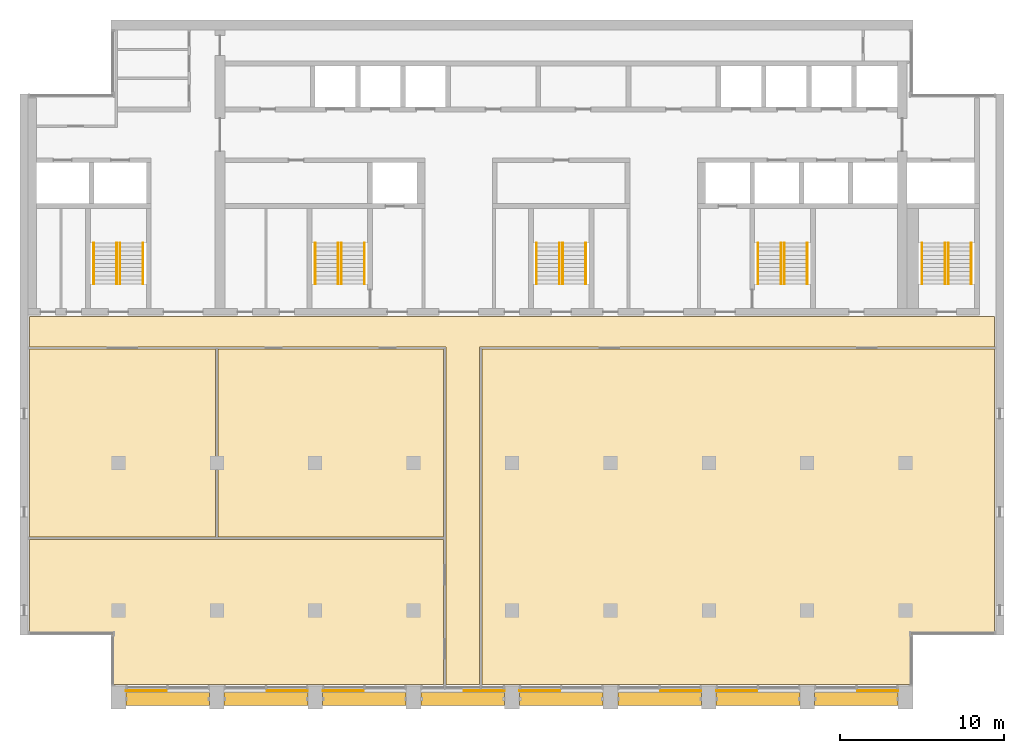
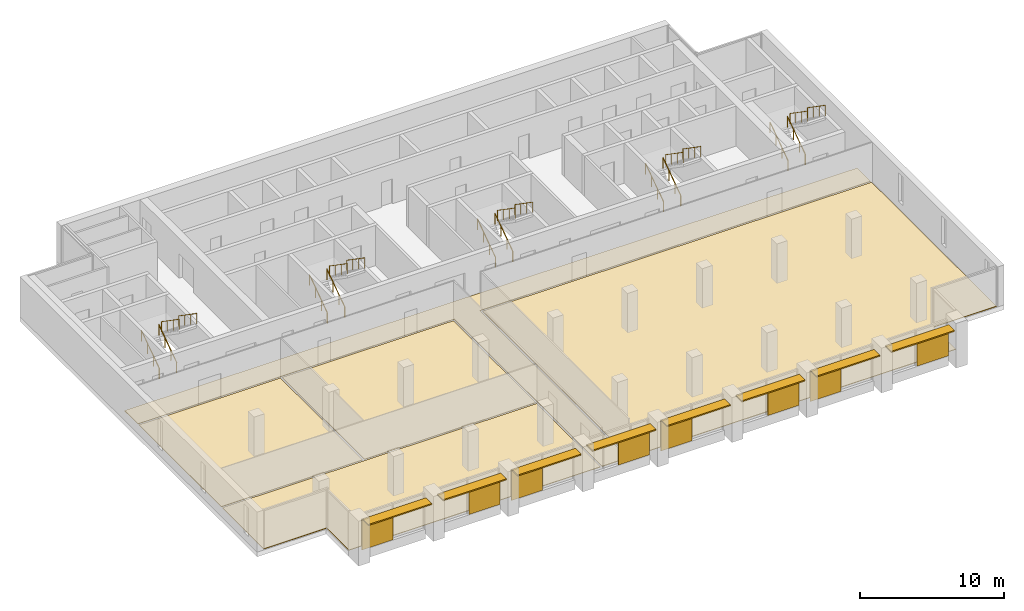
# One storey, part 14 of 14: 20 railings, 16 shading devices, 5 coverings, 5 elements without a shape of their own.
"""IFC4 building model written with IfcOpenShell, lengths in metres."""

import ifcopenshell
import ifcopenshell.guid

model = None  # the IFC model being written
_history = None  # IfcOwnerHistory: only IFC2X3 demands one
_inside = {}  # id of a spatial element -> (the spatial element, [elements in it])
_under = {}  # id of a project, library or spatial element -> (it, [spatial elements below it])
_declared = {}  # id of a project -> (the project, [libraries it declares])
_typed = {}  # id of a type object -> (the type object, [elements of that type])
_made_of = {}  # id of a material, layer set ... -> (it, [elements and type objects made of it])


def new_model(schema):
    """Start an empty IFC model of exactly this schema.

    Asked for "IFC4X3", IfcOpenShell would pick the latest addendum, in which some entities
    have other attributes; the version numbers below select the first issue.
    IFC2X3 requires an IfcOwnerHistory on every rooted entity: one is made here for all.
    """
    global model, _history
    if schema == "IFC4X3":
        model = ifcopenshell.file(schema_version=(4, 3, 0, 0))
    else:
        model = ifcopenshell.file(schema=schema)
    _inside.clear()
    _under.clear()
    _declared.clear()
    _typed.clear()
    _made_of.clear()
    _history = None
    if model.schema == "IFC2X3":
        org = make("IfcOrganization", Name="unknown")
        user = make(
            "IfcPersonAndOrganization",
            ThePerson=make("IfcPerson", FamilyName="unknown"),
            TheOrganization=org,
        )
        app = make(
            "IfcApplication",
            ApplicationDeveloper=org,
            Version="unknown",
            ApplicationFullName="unknown",
            ApplicationIdentifier="unknown",
        )
        _history = make(
            "IfcOwnerHistory",
            OwningUser=user,
            OwningApplication=app,
            ChangeAction="ADDED",
            CreationDate=0,
        )
    return model


def make(cls, **values):
    """One entity of the class cls with the attributes given. An attribute that is None is left unset."""
    return model.create_entity(
        cls, **{name: value for name, value in values.items() if value is not None}
    )


def rooted(cls, **values):
    """An entity with a GlobalId (a new one), such as an element, a storey or a relation."""
    return make(cls, GlobalId=ifcopenshell.guid.new(), OwnerHistory=_history, **values)


def si_unit(unit_type, name, prefix=None):
    """IfcSIUnit, for example si_unit("LENGTHUNIT", "METRE", prefix="MILLI")."""
    return make("IfcSIUnit", UnitType=unit_type, Prefix=prefix, Name=name)


def assignment(units):
    """IfcUnitAssignment: the units of a project."""
    return None if units is None else make("IfcUnitAssignment", Units=units)


def point(xyz):
    """IfcCartesianPoint."""
    return None if xyz is None else make("IfcCartesianPoint", Coordinates=xyz)


def direction(xyz):
    """IfcDirection."""
    return None if xyz is None else make("IfcDirection", DirectionRatios=xyz)


def frame(location, z_axis=None, x_axis=None):
    """IfcAxis2Placement3D, a coordinate frame: its origin and axes. An axis left out is left unset."""
    return make(
        "IfcAxis2Placement3D",
        Location=point(location),
        Axis=direction(z_axis),
        RefDirection=direction(x_axis),
    )


def frame_2d(location, x_axis=None):
    """IfcAxis2Placement2D, a coordinate frame in the plane: its origin and x axis."""
    return make(
        "IfcAxis2Placement2D", Location=point(location), RefDirection=direction(x_axis)
    )


def origin():
    """The frame at (0, 0, 0) with its axes left unset."""
    return frame((0.0, 0.0, 0.0))


def origin_2d():
    """The frame at (0, 0) in the plane with its x axis left unset."""
    return frame_2d((0.0, 0.0))


def place(relative_to, where):
    """IfcLocalPlacement: puts the frame where relative to a parent placement (None: the world)."""
    return make(
        "IfcLocalPlacement", PlacementRelTo=relative_to, RelativePlacement=where
    )


def context(
    kind, dimensions, precision=None, world=None, true_north=None, identifier=None
):
    """IfcGeometricRepresentationContext, for example the 3D "Model" context."""
    return make(
        "IfcGeometricRepresentationContext",
        ContextIdentifier=identifier,
        ContextType=kind,
        CoordinateSpaceDimension=dimensions,
        Precision=precision,
        WorldCoordinateSystem=world,
        TrueNorth=true_north,
    )


def subcontext(parent, identifier, kind, view, scale=None):
    """IfcGeometricRepresentationSubContext, for example "Body" below "Model"."""
    return make(
        "IfcGeometricRepresentationSubContext",
        ContextIdentifier=identifier,
        ContextType=kind,
        ParentContext=parent,
        TargetScale=scale,
        TargetView=view,
    )


def project(units=None, contexts=None):
    """IfcProject with its units and contexts."""
    return rooted(
        "IfcProject",
        Name="project",
        RepresentationContexts=contexts,
        UnitsInContext=assignment(units),
    )


def spatial(cls, under=None, at=None, **own):
    """A site, building, storey or space (cls), placed at a placement, below another one or the project."""
    s = rooted(cls, ObjectPlacement=at, **own)
    if under is not None:
        _under.setdefault(under.id(), (under, []))[1].append(s)
    return s


def polyline(points):
    """IfcPolyline through the points."""
    return make("IfcPolyline", Points=[point(p) for p in points])


def profile(cls, at=None, kind="AREA", **sizes):
    """A parametric profile (cls). Its sizes go by their IFC names, for example OverallWidth=200.0."""
    return make(cls, ProfileType=kind, Position=at, **sizes)


def rectangle(**sizes):
    """IfcRectangleProfileDef."""
    return profile("IfcRectangleProfileDef", **sizes)


def circle(**sizes):
    """IfcCircleProfileDef."""
    return profile("IfcCircleProfileDef", **sizes)


def outline(outer, holes=None, kind="AREA"):
    """IfcArbitraryClosedProfileDef: a profile drawn as a closed curve; with holes, ...WithVoids."""
    if holes is None:
        return make("IfcArbitraryClosedProfileDef", ProfileType=kind, OuterCurve=outer)
    return make(
        "IfcArbitraryProfileDefWithVoids",
        ProfileType=kind,
        OuterCurve=outer,
        InnerCurves=holes,
    )


def extrude(swept, where, along, depth):
    """IfcExtrudedAreaSolid: the profile swept, set in the frame where, extruded along a direction by depth."""
    return make(
        "IfcExtrudedAreaSolid",
        SweptArea=swept,
        Position=where,
        ExtrudedDirection=direction(along),
        Depth=depth,
    )


def shape(context_of_items, identifier, shape_type, items):
    """IfcShapeRepresentation: the items that make up one representation, for example the "Body"."""
    return make(
        "IfcShapeRepresentation",
        ContextOfItems=context_of_items,
        RepresentationIdentifier=identifier,
        RepresentationType=shape_type,
        Items=items,
    )


def material(Name=None, Category=None):
    """IfcMaterial."""
    return make("IfcMaterial", Name=Name, Category=Category)


def layer(
    of_material, thickness, ventilated=None, Name=None, Category=None, Priority=None
):
    """IfcMaterialLayer: one layer of a wall or slab, of a material (None: an air gap)."""
    return make(
        "IfcMaterialLayer",
        Material=of_material,
        LayerThickness=thickness,
        IsVentilated=ventilated,
        Name=Name,
        Category=Category,
        Priority=Priority,
    )


def layer_set(layers, Name=None):
    """IfcMaterialLayerSet."""
    return make("IfcMaterialLayerSet", MaterialLayers=layers, LayerSetName=Name)


def material_profile(
    of_material, cross_section, Name=None, Category=None, Priority=None
):
    """IfcMaterialProfile: a cross section and its material."""
    return make(
        "IfcMaterialProfile",
        Name=Name,
        Material=of_material,
        Profile=cross_section,
        Priority=Priority,
        Category=Category,
    )


def profile_set(profiles, Name=None, composite=None):
    """IfcMaterialProfileSet."""
    return make(
        "IfcMaterialProfileSet",
        Name=Name,
        MaterialProfiles=profiles,
        CompositeProfile=composite,
    )


def made_of(thing, what):
    """Note that an element or type object is made of a material, layer set ...; save() writes the relation."""
    if what is not None:
        _made_of.setdefault(what.id(), (what, []))[1].append(thing)
    return thing


def type_object(cls, material=None, **own):
    """A type object (cls), such as IfcWallType, which elements share."""
    return made_of(rooted(cls, **own), material)


def element(
    cls,
    number,
    at=None,
    inside=None,
    cuts=None,
    type_object=None,
    material=None,
    context=None,
    identifier="Body",
    shape_type=None,
    held_by="IfcProductDefinitionShape",
    body=None,
    shapes=None,
    **own,
):
    """One element of the class cls, such as IfcWall. Its Tag is "e" and its number.

    at: its placement. inside: the storey or other place that contains it. cuts: it is an
    opening in that element (IfcRelVoidsElement). A single representation is given by context,
    identifier, shape_type and body (its items); several are given by shapes. held_by: the class
    of the entity that holds the representations. save() writes the other relations.
    """
    e = rooted(cls, Tag="e%d" % number, ObjectPlacement=at, **own)
    if body is not None:
        shapes = [shape(context, identifier, shape_type, body)]
    if shapes is not None:
        e.Representation = make(held_by, Representations=shapes)
    if inside is not None:
        _inside.setdefault(inside.id(), (inside, []))[1].append(e)
    if cuts is not None:
        rooted(
            "IfcRelVoidsElement", RelatingBuildingElement=cuts, RelatedOpeningElement=e
        )
    if type_object is not None:
        _typed.setdefault(type_object.id(), (type_object, []))[1].append(e)
    return made_of(e, material)


def aggregate(whole, parts):
    """IfcRelAggregates: a whole, such as a stair, and the parts it consists of."""
    return rooted("IfcRelAggregates", RelatingObject=whole, RelatedObjects=parts)


def save(model, path):
    """Write the relations noted so far, then the file.

    IfcRelAggregates (storeys below a building ...), IfcRelContainedInSpatialStructure (elements
    in a storey), IfcRelDefinesByType, IfcRelAssociatesMaterial and IfcRelDeclares: one each for
    every whole, place, type object, material and project.
    """
    for whole, parts in _under.values():
        aggregate(whole, parts)
    for where, things in _inside.values():
        rooted(
            "IfcRelContainedInSpatialStructure",
            RelatedElements=things,
            RelatingStructure=where,
        )
    for kind, things in _typed.values():
        rooted("IfcRelDefinesByType", RelatedObjects=things, RelatingType=kind)
    for what, things in _made_of.values():
        rooted("IfcRelAssociatesMaterial", RelatedObjects=things, RelatingMaterial=what)
    for by, libraries in _declared.values():
        rooted("IfcRelDeclares", RelatingContext=by, RelatedDefinitions=libraries)
    model.write(path)


model = new_model("IFC4")

# Units and contexts
model_context = context("Model", 3, precision=1e-05, world=origin(), true_north=direction((0.0, 1.0)))
body_context = subcontext(model_context, "Body", "Model", "MODEL_VIEW")
ifc_project = project(units=[si_unit("LENGTHUNIT", "METRE"), si_unit("AREAUNIT", "SQUARE_METRE"), si_unit("VOLUMEUNIT", "CUBIC_METRE"), si_unit("PLANEANGLEUNIT", "RADIAN"), si_unit("MASSUNIT", "GRAM", prefix="KILO")], contexts=[model_context])

# Site, building, storey
site_placement = place(None, origin())
site = spatial("IfcSite", under=ifc_project, at=site_placement, CompositionType="ELEMENT")
building_placement = place(site_placement, origin())
building = spatial("IfcBuilding", under=site, at=building_placement, Name="Calvaro Tower", CompositionType="ELEMENT")
storey_placement = place(building_placement, frame((0.0, 0.0, 250.75)))
storey = spatial("IfcBuildingStorey", under=building, at=storey_placement, Name="L63", CompositionType="ELEMENT", Elevation=250.75)

# Shading devices
ifc_material_1 = material(Name="Anodised aluminium", Category="aluminium")
ifc_material_profile = material_profile(ifc_material_1, rectangle(XDim=0.800048828125, YDim=0.10009765625, at=origin_2d()), Name="Brise-soleil blade 800 x 100")
ifc_profile_set = profile_set([ifc_material_profile], Name="Anodised aluminium")
shading_device_type_1 = type_object("IfcShadingDeviceType", Name="Brise-soleil blade 800 x 100", PredefinedType="JALOUSIE", material=ifc_profile_set)
for number, where, z_axis, x_axis, name in (
    (1, (12.449951171875, 4.60009765625, 2.64990234375), (1.0, 0.0, 0.0), (0.0, 1.0, 0.0), "Brise-soleil blade 1"),
    (2, (18.449951171875, 4.60009765625, 2.64990234375), (1.0, 0.0, 0.0), (0.0, 1.0, 0.0), "Brise-soleil blade 2"),
    (3, (24.449951171875, 4.60009765625, 2.64990234375), (1.0, 0.0, 0.0), (0.0, 1.0, 0.0), "Brise-soleil blade 3"),
    (4, (30.449951171875, 4.60009765625, 2.64990234375), (1.0, 0.0, 0.0), (0.0, 1.0, 0.0), "Brise-soleil blade 4"),
    (5, (36.449951171875, 4.60009765625, 2.64990234375), (1.0, 0.0, 0.0), (0.0, 1.0, 0.0), "Brise-soleil blade 5"),
    (6, (42.449951171875, 4.60009765625, 2.64990234375), (1.0, 0.0, 0.0), (0.0, 1.0, 0.0), "Brise-soleil blade 6"),
    (7, (48.449951171875, 4.60009765625, 2.64990234375), (1.0, 0.0, 0.0), (0.0, 1.0, 0.0), "Brise-soleil blade 7"),
    (8, (54.449951171875, 4.60009765625, 2.64990234375), (1.0, 0.0, 0.0), (0.0, 1.0, 0.0), "Brise-soleil blade 8"),
):
    element("IfcShadingDevice", number, at=place(storey_placement, frame(where, z_axis=z_axis, x_axis=x_axis)), inside=storey, type_object=shading_device_type_1, Name=name, PredefinedType="JALOUSIE", context=body_context, shape_type="SweptSolid", body=[
        extrude(rectangle(XDim=0.800048828125, YDim=0.10009765625, at=origin_2d()), origin(), (0.0, 0.0, 1.0), 5.10009765625),
    ])

# Coverings
ifc_material_2 = material(Name="Cement screed with carpet tile finish")
ifc_layer_1 = layer(ifc_material_2, 0.050048828125)
ifc_layer_set_1 = layer_set([ifc_layer_1], Name="Cement screed with carpet tile finish")
covering_type = type_object("IfcCoveringType", Name="Floor finish 50", PredefinedType="FLOORING", material=ifc_layer_set_1)
covering_1_placement = place(storey_placement, origin())
element("IfcCovering", 9, at=covering_1_placement, inside=storey, type_object=covering_type, Name="Floor finish 36.01", PredefinedType="FLOORING", context=body_context, shape_type="SweptSolid", body=[
    extrude(outline(polyline([(31.969970703125, 5.469970703125), (31.969970703125, 26.070068359375), (6.570068359375, 26.070068359375), (6.570068359375, 27.929931640625), (65.429931640625, 27.929931640625), (65.429931640625, 26.070068359375), (34.030029296875, 26.070068359375), (34.030029296875, 5.469970703125), (31.969970703125, 5.469970703125)])), origin(), (0.0, 0.0, 1.0), 0.050048828125),
])
covering_2_placement = place(storey_placement, origin())
element("IfcCovering", 10, at=covering_2_placement, inside=storey, type_object=covering_type, Name="Floor finish 36.02", PredefinedType="FLOORING", context=body_context, shape_type="SweptSolid", body=[
    extrude(outline(polyline([(31.830078125, 14.330078125), (31.830078125, 5.469970703125), (11.6201171875, 5.469970703125), (11.6201171875, 8.570068359375), (6.570068359375, 8.570068359375), (6.570068359375, 14.330078125), (31.830078125, 14.330078125)])), origin(), (0.0, 0.0, 1.0), 0.050048828125),
])
covering_3_placement = place(storey_placement, origin())
element("IfcCovering", 11, at=covering_3_placement, inside=storey, type_object=covering_type, Name="Floor finish 36.04", PredefinedType="FLOORING", context=body_context, shape_type="SweptSolid", body=[
    extrude(outline(polyline([(17.929931640625, 25.929931640625), (17.929931640625, 14.469970703125), (6.570068359375, 14.469970703125), (6.570068359375, 25.929931640625), (17.929931640625, 25.929931640625)])), origin(), (0.0, 0.0, 1.0), 0.050048828125),
])
covering_4_placement = place(storey_placement, origin())
element("IfcCovering", 12, at=covering_4_placement, inside=storey, type_object=covering_type, Name="Floor finish 36.05", PredefinedType="FLOORING", context=body_context, shape_type="SweptSolid", body=[
    extrude(outline(polyline([(18.070068359375, 14.469970703125), (18.070068359375, 25.929931640625), (31.830078125, 25.929931640625), (31.830078125, 14.469970703125), (18.070068359375, 14.469970703125)])), origin(), (0.0, 0.0, 1.0), 0.050048828125),
])
covering_5_placement = place(storey_placement, origin())
element("IfcCovering", 13, at=covering_5_placement, inside=storey, type_object=covering_type, Name="Floor finish 36.03", PredefinedType="FLOORING", context=body_context, shape_type="SweptSolid", body=[
    extrude(outline(polyline([(65.429931640625, 8.570068359375), (60.3798828125, 8.570068359375), (60.3798828125, 5.469970703125), (34.169921875, 5.469970703125), (34.169921875, 25.929931640625), (65.429931640625, 25.929931640625), (65.429931640625, 8.570068359375)])), origin(), (0.0, 0.0, 1.0), 0.050048828125),
])

# Shading devices
ifc_material_3 = material(Name="Ceramic")
ifc_layer_2 = layer(ifc_material_3, 0.0400390625)
ifc_layer_set_2 = layer_set([ifc_layer_2], Name="Ceramic")
shading_device_type_2 = type_object("IfcShadingDeviceType", Name="Sliding ceramic screen 2500", PredefinedType="SHUTTER", material=ifc_layer_set_2)
for number, where, z_axis, x_axis, name in (
    (14, (13.699951171875, 5.10009765625, 0.0), (0.0, 0.0, 1.0), (1.0, 0.0, 0.0), "Sliding screen 1"),
    (15, (22.300048828125, 5.10009765625, 0.0), (0.0, 0.0, 1.0), (1.0, 0.0, 0.0), "Sliding screen 2"),
    (16, (25.699951171875, 5.10009765625, 0.0), (0.0, 0.0, 1.0), (1.0, 0.0, 0.0), "Sliding screen 3"),
    (17, (34.300048828125, 5.10009765625, 0.0), (0.0, 0.0, 1.0), (1.0, 0.0, 0.0), "Sliding screen 4"),
    (18, (37.699951171875, 5.10009765625, 0.0), (0.0, 0.0, 1.0), (1.0, 0.0, 0.0), "Sliding screen 5"),
    (19, (46.300048828125, 5.10009765625, 0.0), (0.0, 0.0, 1.0), (1.0, 0.0, 0.0), "Sliding screen 6"),
    (20, (49.699951171875, 5.10009765625, 0.0), (0.0, 0.0, 1.0), (1.0, 0.0, 0.0), "Sliding screen 7"),
    (21, (58.300048828125, 5.10009765625, 0.0), (0.0, 0.0, 1.0), (1.0, 0.0, 0.0), "Sliding screen 8"),
):
    element("IfcShadingDevice", number, at=place(storey_placement, frame(where, z_axis=z_axis, x_axis=x_axis)), inside=storey, type_object=shading_device_type_2, Name=name, PredefinedType="SHUTTER", context=body_context, shape_type="SweptSolid", body=[
        extrude(rectangle(XDim=2.5, YDim=0.0400390625, at=origin_2d()), origin(), (0.0, 0.0, 1.0), 2.60009765625),
    ])

# Stair, railings
ifc_material_4 = material(Name="Concrete C40/50", Category="concrete")
stair_type = type_object("IfcStairType", Name="Exit stair 1400 2 flights", PredefinedType="HALF_TURN_STAIR", material=ifc_material_4)
stair_1_placement = place(storey_placement, origin())
stair_1 = element("IfcStair", 22, at=stair_1_placement, inside=storey, type_object=stair_type, Name="Exit stair S1", PredefinedType="HALF_TURN_STAIR")
ifc_material_5 = material(Name="Stainless steel", Category="steel")
railing_type = type_object("IfcRailingType", Name="Stair handrail", PredefinedType="HANDRAIL", material=ifc_material_5)
railing_1_placement = place(storey_placement, frame((11.89990234375, 29.89990234375, 0.172607421875)))
railing_1 = element("IfcRailing", 23, at=railing_1_placement, type_object=railing_type, Name="Exit stair 1 handrail", PredefinedType="HANDRAIL", context=body_context, shape_type="SweptSolid", body=[
    extrude(circle(Radius=0.02392578125, at=origin_2d()), frame((0.0, 0.0, 0.8759765625), z_axis=(0.0, 0.822726922227, 0.568436813941), x_axis=(-1.0, 0.0, 0.0)), (0.0, 0.0, 1.0), 3.03857421875),
    extrude(circle(Radius=0.02099609375, at=origin_2d()), frame((0.0, 0.017333984375, 0.011962890625)), (0.0, 0.0, 1.0), 0.851806640625),
    extrude(circle(Radius=0.02099609375, at=origin_2d()), frame((0.0, 0.833251953125, 0.57568359375)), (0.0, 0.0, 1.0), 0.851806640625),
    extrude(circle(Radius=0.02099609375, at=origin_2d()), frame((0.0, 1.666748046875, 1.151611328125)), (0.0, 0.0, 1.0), 0.851806640625),
    extrude(circle(Radius=0.02099609375, at=origin_2d()), frame((0.0, 2.482666015625, 1.71533203125)), (0.0, 0.0, 1.0), 0.851806640625),
])
railing_2_placement = place(storey_placement, frame((10.5, 29.89990234375, 0.172607421875)))
railing_2 = element("IfcRailing", 24, at=railing_2_placement, type_object=railing_type, Name="Exit stair 1 handrail", PredefinedType="HANDRAIL", context=body_context, shape_type="SweptSolid", body=[
    extrude(circle(Radius=0.02392578125, at=origin_2d()), frame((0.0, 0.0, 0.8759765625), z_axis=(0.0, 0.822726922227, 0.568436813941), x_axis=(-1.0, 0.0, 0.0)), (0.0, 0.0, 1.0), 3.03857421875),
    extrude(circle(Radius=0.02099609375, at=origin_2d()), frame((0.0, 0.017333984375, 0.011962890625)), (0.0, 0.0, 1.0), 0.851806640625),
    extrude(circle(Radius=0.02099609375, at=origin_2d()), frame((0.0, 0.833251953125, 0.57568359375)), (0.0, 0.0, 1.0), 0.851806640625),
    extrude(circle(Radius=0.02099609375, at=origin_2d()), frame((0.0, 1.666748046875, 1.151611328125)), (0.0, 0.0, 1.0), 0.851806640625),
    extrude(circle(Radius=0.02099609375, at=origin_2d()), frame((0.0, 2.482666015625, 1.71533203125)), (0.0, 0.0, 1.0), 0.851806640625),
])
railing_3_placement = place(storey_placement, frame((12.10009765625, 32.39990234375, 2.07275390625)))
railing_3 = element("IfcRailing", 25, at=railing_3_placement, type_object=railing_type, Name="Exit stair 1 handrail", PredefinedType="HANDRAIL", context=body_context, shape_type="SweptSolid", body=[
    extrude(circle(Radius=0.02392578125, at=origin_2d()), frame((0.0, 0.0, 0.8759765625), z_axis=(0.0, -0.822726922227, 0.568436813941), x_axis=(1.0, 0.0, 0.0)), (0.0, 0.0, 1.0), 3.03857421875),
    extrude(circle(Radius=0.02099609375, at=origin_2d()), frame((0.0, -0.017333984375, 0.011962890625)), (0.0, 0.0, 1.0), 0.851806640625),
    extrude(circle(Radius=0.02099609375, at=origin_2d()), frame((0.0, -0.833251953125, 0.57568359375)), (0.0, 0.0, 1.0), 0.851806640625),
    extrude(circle(Radius=0.02099609375, at=origin_2d()), frame((0.0, -1.666748046875, 1.151611328125)), (0.0, 0.0, 1.0), 0.851806640625),
    extrude(circle(Radius=0.02099609375, at=origin_2d()), frame((0.0, -2.482666015625, 1.71533203125)), (0.0, 0.0, 1.0), 0.851806640625),
])
railing_4_placement = place(storey_placement, frame((13.5, 32.39990234375, 2.07275390625)))
railing_4 = element("IfcRailing", 26, at=railing_4_placement, type_object=railing_type, Name="Exit stair 1 handrail", PredefinedType="HANDRAIL", context=body_context, shape_type="SweptSolid", body=[
    extrude(circle(Radius=0.02392578125, at=origin_2d()), frame((0.0, 0.0, 0.8759765625), z_axis=(0.0, -0.822726922227, 0.568436813941), x_axis=(1.0, 0.0, 0.0)), (0.0, 0.0, 1.0), 3.03857421875),
    extrude(circle(Radius=0.02099609375, at=origin_2d()), frame((0.0, -0.017333984375, 0.011962890625)), (0.0, 0.0, 1.0), 0.851806640625),
    extrude(circle(Radius=0.02099609375, at=origin_2d()), frame((0.0, -0.833251953125, 0.57568359375)), (0.0, 0.0, 1.0), 0.851806640625),
    extrude(circle(Radius=0.02099609375, at=origin_2d()), frame((0.0, -1.666748046875, 1.151611328125)), (0.0, 0.0, 1.0), 0.851806640625),
    extrude(circle(Radius=0.02099609375, at=origin_2d()), frame((0.0, -2.482666015625, 1.71533203125)), (0.0, 0.0, 1.0), 0.851806640625),
])
aggregate(stair_1, [railing_1, railing_2, railing_3, railing_4])

stair_2_placement = place(storey_placement, origin())
stair_2 = element("IfcStair", 27, at=stair_2_placement, inside=storey, type_object=stair_type, Name="Exit stair S2", PredefinedType="HALF_TURN_STAIR")
railing_5_placement = place(storey_placement, frame((25.39990234375, 29.89990234375, 0.172607421875)))
railing_5 = element("IfcRailing", 28, at=railing_5_placement, type_object=railing_type, Name="Exit stair 2 handrail", PredefinedType="HANDRAIL", context=body_context, shape_type="SweptSolid", body=[
    extrude(circle(Radius=0.02392578125, at=origin_2d()), frame((0.0, 0.0, 0.8759765625), z_axis=(0.0, 0.822726922227, 0.568436813941), x_axis=(-1.0, 0.0, 0.0)), (0.0, 0.0, 1.0), 3.03857421875),
    extrude(circle(Radius=0.02099609375, at=origin_2d()), frame((0.0, 0.017333984375, 0.011962890625)), (0.0, 0.0, 1.0), 0.851806640625),
    extrude(circle(Radius=0.02099609375, at=origin_2d()), frame((0.0, 0.833251953125, 0.57568359375)), (0.0, 0.0, 1.0), 0.851806640625),
    extrude(circle(Radius=0.02099609375, at=origin_2d()), frame((0.0, 1.666748046875, 1.151611328125)), (0.0, 0.0, 1.0), 0.851806640625),
    extrude(circle(Radius=0.02099609375, at=origin_2d()), frame((0.0, 2.482666015625, 1.71533203125)), (0.0, 0.0, 1.0), 0.851806640625),
])
railing_6_placement = place(storey_placement, frame((24.0, 29.89990234375, 0.172607421875)))
railing_6 = element("IfcRailing", 29, at=railing_6_placement, type_object=railing_type, Name="Exit stair 2 handrail", PredefinedType="HANDRAIL", context=body_context, shape_type="SweptSolid", body=[
    extrude(circle(Radius=0.02392578125, at=origin_2d()), frame((0.0, 0.0, 0.8759765625), z_axis=(0.0, 0.822726922227, 0.568436813941), x_axis=(-1.0, 0.0, 0.0)), (0.0, 0.0, 1.0), 3.03857421875),
    extrude(circle(Radius=0.02099609375, at=origin_2d()), frame((0.0, 0.017333984375, 0.011962890625)), (0.0, 0.0, 1.0), 0.851806640625),
    extrude(circle(Radius=0.02099609375, at=origin_2d()), frame((0.0, 0.833251953125, 0.57568359375)), (0.0, 0.0, 1.0), 0.851806640625),
    extrude(circle(Radius=0.02099609375, at=origin_2d()), frame((0.0, 1.666748046875, 1.151611328125)), (0.0, 0.0, 1.0), 0.851806640625),
    extrude(circle(Radius=0.02099609375, at=origin_2d()), frame((0.0, 2.482666015625, 1.71533203125)), (0.0, 0.0, 1.0), 0.851806640625),
])
railing_7_placement = place(storey_placement, frame((25.60009765625, 32.39990234375, 2.07275390625)))
railing_7 = element("IfcRailing", 30, at=railing_7_placement, type_object=railing_type, Name="Exit stair 2 handrail", PredefinedType="HANDRAIL", context=body_context, shape_type="SweptSolid", body=[
    extrude(circle(Radius=0.02392578125, at=origin_2d()), frame((0.0, 0.0, 0.8759765625), z_axis=(0.0, -0.822726922227, 0.568436813941), x_axis=(1.0, 0.0, 0.0)), (0.0, 0.0, 1.0), 3.03857421875),
    extrude(circle(Radius=0.02099609375, at=origin_2d()), frame((0.0, -0.017333984375, 0.011962890625)), (0.0, 0.0, 1.0), 0.851806640625),
    extrude(circle(Radius=0.02099609375, at=origin_2d()), frame((0.0, -0.833251953125, 0.57568359375)), (0.0, 0.0, 1.0), 0.851806640625),
    extrude(circle(Radius=0.02099609375, at=origin_2d()), frame((0.0, -1.666748046875, 1.151611328125)), (0.0, 0.0, 1.0), 0.851806640625),
    extrude(circle(Radius=0.02099609375, at=origin_2d()), frame((0.0, -2.482666015625, 1.71533203125)), (0.0, 0.0, 1.0), 0.851806640625),
])
railing_8_placement = place(storey_placement, frame((27.0, 32.39990234375, 2.07275390625)))
railing_8 = element("IfcRailing", 31, at=railing_8_placement, type_object=railing_type, Name="Exit stair 2 handrail", PredefinedType="HANDRAIL", context=body_context, shape_type="SweptSolid", body=[
    extrude(circle(Radius=0.02392578125, at=origin_2d()), frame((0.0, 0.0, 0.8759765625), z_axis=(0.0, -0.822726922227, 0.568436813941), x_axis=(1.0, 0.0, 0.0)), (0.0, 0.0, 1.0), 3.03857421875),
    extrude(circle(Radius=0.02099609375, at=origin_2d()), frame((0.0, -0.017333984375, 0.011962890625)), (0.0, 0.0, 1.0), 0.851806640625),
    extrude(circle(Radius=0.02099609375, at=origin_2d()), frame((0.0, -0.833251953125, 0.57568359375)), (0.0, 0.0, 1.0), 0.851806640625),
    extrude(circle(Radius=0.02099609375, at=origin_2d()), frame((0.0, -1.666748046875, 1.151611328125)), (0.0, 0.0, 1.0), 0.851806640625),
    extrude(circle(Radius=0.02099609375, at=origin_2d()), frame((0.0, -2.482666015625, 1.71533203125)), (0.0, 0.0, 1.0), 0.851806640625),
])
aggregate(stair_2, [railing_5, railing_6, railing_7, railing_8])

stair_3_placement = place(storey_placement, origin())
stair_3 = element("IfcStair", 32, at=stair_3_placement, inside=storey, type_object=stair_type, Name="Exit stair S3", PredefinedType="HALF_TURN_STAIR")
railing_9_placement = place(storey_placement, frame((38.89990234375, 29.89990234375, 0.172607421875)))
railing_9 = element("IfcRailing", 33, at=railing_9_placement, type_object=railing_type, Name="Exit stair 3 handrail", PredefinedType="HANDRAIL", context=body_context, shape_type="SweptSolid", body=[
    extrude(circle(Radius=0.02392578125, at=origin_2d()), frame((0.0, 0.0, 0.8759765625), z_axis=(0.0, 0.822726922227, 0.568436813941), x_axis=(-1.0, 0.0, 0.0)), (0.0, 0.0, 1.0), 3.03857421875),
    extrude(circle(Radius=0.02099609375, at=origin_2d()), frame((0.0, 0.017333984375, 0.011962890625)), (0.0, 0.0, 1.0), 0.851806640625),
    extrude(circle(Radius=0.02099609375, at=origin_2d()), frame((0.0, 0.833251953125, 0.57568359375)), (0.0, 0.0, 1.0), 0.851806640625),
    extrude(circle(Radius=0.02099609375, at=origin_2d()), frame((0.0, 1.666748046875, 1.151611328125)), (0.0, 0.0, 1.0), 0.851806640625),
    extrude(circle(Radius=0.02099609375, at=origin_2d()), frame((0.0, 2.482666015625, 1.71533203125)), (0.0, 0.0, 1.0), 0.851806640625),
])
railing_10_placement = place(storey_placement, frame((37.5, 29.89990234375, 0.172607421875)))
railing_10 = element("IfcRailing", 34, at=railing_10_placement, type_object=railing_type, Name="Exit stair 3 handrail", PredefinedType="HANDRAIL", context=body_context, shape_type="SweptSolid", body=[
    extrude(circle(Radius=0.02392578125, at=origin_2d()), frame((0.0, 0.0, 0.8759765625), z_axis=(0.0, 0.822726922227, 0.568436813941), x_axis=(-1.0, 0.0, 0.0)), (0.0, 0.0, 1.0), 3.03857421875),
    extrude(circle(Radius=0.02099609375, at=origin_2d()), frame((0.0, 0.017333984375, 0.011962890625)), (0.0, 0.0, 1.0), 0.851806640625),
    extrude(circle(Radius=0.02099609375, at=origin_2d()), frame((0.0, 0.833251953125, 0.57568359375)), (0.0, 0.0, 1.0), 0.851806640625),
    extrude(circle(Radius=0.02099609375, at=origin_2d()), frame((0.0, 1.666748046875, 1.151611328125)), (0.0, 0.0, 1.0), 0.851806640625),
    extrude(circle(Radius=0.02099609375, at=origin_2d()), frame((0.0, 2.482666015625, 1.71533203125)), (0.0, 0.0, 1.0), 0.851806640625),
])
railing_11_placement = place(storey_placement, frame((39.10009765625, 32.39990234375, 2.07275390625)))
railing_11 = element("IfcRailing", 35, at=railing_11_placement, type_object=railing_type, Name="Exit stair 3 handrail", PredefinedType="HANDRAIL", context=body_context, shape_type="SweptSolid", body=[
    extrude(circle(Radius=0.02392578125, at=origin_2d()), frame((0.0, 0.0, 0.8759765625), z_axis=(0.0, -0.822726922227, 0.568436813941), x_axis=(1.0, 0.0, 0.0)), (0.0, 0.0, 1.0), 3.03857421875),
    extrude(circle(Radius=0.02099609375, at=origin_2d()), frame((0.0, -0.017333984375, 0.011962890625)), (0.0, 0.0, 1.0), 0.851806640625),
    extrude(circle(Radius=0.02099609375, at=origin_2d()), frame((0.0, -0.833251953125, 0.57568359375)), (0.0, 0.0, 1.0), 0.851806640625),
    extrude(circle(Radius=0.02099609375, at=origin_2d()), frame((0.0, -1.666748046875, 1.151611328125)), (0.0, 0.0, 1.0), 0.851806640625),
    extrude(circle(Radius=0.02099609375, at=origin_2d()), frame((0.0, -2.482666015625, 1.71533203125)), (0.0, 0.0, 1.0), 0.851806640625),
])
railing_12_placement = place(storey_placement, frame((40.5, 32.39990234375, 2.07275390625)))
railing_12 = element("IfcRailing", 36, at=railing_12_placement, type_object=railing_type, Name="Exit stair 3 handrail", PredefinedType="HANDRAIL", context=body_context, shape_type="SweptSolid", body=[
    extrude(circle(Radius=0.02392578125, at=origin_2d()), frame((0.0, 0.0, 0.8759765625), z_axis=(0.0, -0.822726922227, 0.568436813941), x_axis=(1.0, 0.0, 0.0)), (0.0, 0.0, 1.0), 3.03857421875),
    extrude(circle(Radius=0.02099609375, at=origin_2d()), frame((0.0, -0.017333984375, 0.011962890625)), (0.0, 0.0, 1.0), 0.851806640625),
    extrude(circle(Radius=0.02099609375, at=origin_2d()), frame((0.0, -0.833251953125, 0.57568359375)), (0.0, 0.0, 1.0), 0.851806640625),
    extrude(circle(Radius=0.02099609375, at=origin_2d()), frame((0.0, -1.666748046875, 1.151611328125)), (0.0, 0.0, 1.0), 0.851806640625),
    extrude(circle(Radius=0.02099609375, at=origin_2d()), frame((0.0, -2.482666015625, 1.71533203125)), (0.0, 0.0, 1.0), 0.851806640625),
])
aggregate(stair_3, [railing_9, railing_10, railing_11, railing_12])

stair_4_placement = place(storey_placement, origin())
stair_4 = element("IfcStair", 37, at=stair_4_placement, inside=storey, type_object=stair_type, Name="Exit stair S4", PredefinedType="HALF_TURN_STAIR")
railing_13_placement = place(storey_placement, frame((52.39990234375, 29.89990234375, 0.172607421875)))
railing_13 = element("IfcRailing", 38, at=railing_13_placement, type_object=railing_type, Name="Exit stair 4 handrail", PredefinedType="HANDRAIL", context=body_context, shape_type="SweptSolid", body=[
    extrude(circle(Radius=0.02392578125, at=origin_2d()), frame((0.0, 0.0, 0.8759765625), z_axis=(0.0, 0.822726922227, 0.568436813941), x_axis=(-1.0, 0.0, 0.0)), (0.0, 0.0, 1.0), 3.03857421875),
    extrude(circle(Radius=0.02099609375, at=origin_2d()), frame((0.0, 0.017333984375, 0.011962890625)), (0.0, 0.0, 1.0), 0.851806640625),
    extrude(circle(Radius=0.02099609375, at=origin_2d()), frame((0.0, 0.833251953125, 0.57568359375)), (0.0, 0.0, 1.0), 0.851806640625),
    extrude(circle(Radius=0.02099609375, at=origin_2d()), frame((0.0, 1.666748046875, 1.151611328125)), (0.0, 0.0, 1.0), 0.851806640625),
    extrude(circle(Radius=0.02099609375, at=origin_2d()), frame((0.0, 2.482666015625, 1.71533203125)), (0.0, 0.0, 1.0), 0.851806640625),
])
railing_14_placement = place(storey_placement, frame((51.0, 29.89990234375, 0.172607421875)))
railing_14 = element("IfcRailing", 39, at=railing_14_placement, type_object=railing_type, Name="Exit stair 4 handrail", PredefinedType="HANDRAIL", context=body_context, shape_type="SweptSolid", body=[
    extrude(circle(Radius=0.02392578125, at=origin_2d()), frame((0.0, 0.0, 0.8759765625), z_axis=(0.0, 0.822726922227, 0.568436813941), x_axis=(-1.0, 0.0, 0.0)), (0.0, 0.0, 1.0), 3.03857421875),
    extrude(circle(Radius=0.02099609375, at=origin_2d()), frame((0.0, 0.017333984375, 0.011962890625)), (0.0, 0.0, 1.0), 0.851806640625),
    extrude(circle(Radius=0.02099609375, at=origin_2d()), frame((0.0, 0.833251953125, 0.57568359375)), (0.0, 0.0, 1.0), 0.851806640625),
    extrude(circle(Radius=0.02099609375, at=origin_2d()), frame((0.0, 1.666748046875, 1.151611328125)), (0.0, 0.0, 1.0), 0.851806640625),
    extrude(circle(Radius=0.02099609375, at=origin_2d()), frame((0.0, 2.482666015625, 1.71533203125)), (0.0, 0.0, 1.0), 0.851806640625),
])
railing_15_placement = place(storey_placement, frame((52.60009765625, 32.39990234375, 2.07275390625)))
railing_15 = element("IfcRailing", 40, at=railing_15_placement, type_object=railing_type, Name="Exit stair 4 handrail", PredefinedType="HANDRAIL", context=body_context, shape_type="SweptSolid", body=[
    extrude(circle(Radius=0.02392578125, at=origin_2d()), frame((0.0, 0.0, 0.8759765625), z_axis=(0.0, -0.822726922227, 0.568436813941), x_axis=(1.0, 0.0, 0.0)), (0.0, 0.0, 1.0), 3.03857421875),
    extrude(circle(Radius=0.02099609375, at=origin_2d()), frame((0.0, -0.017333984375, 0.011962890625)), (0.0, 0.0, 1.0), 0.851806640625),
    extrude(circle(Radius=0.02099609375, at=origin_2d()), frame((0.0, -0.833251953125, 0.57568359375)), (0.0, 0.0, 1.0), 0.851806640625),
    extrude(circle(Radius=0.02099609375, at=origin_2d()), frame((0.0, -1.666748046875, 1.151611328125)), (0.0, 0.0, 1.0), 0.851806640625),
    extrude(circle(Radius=0.02099609375, at=origin_2d()), frame((0.0, -2.482666015625, 1.71533203125)), (0.0, 0.0, 1.0), 0.851806640625),
])
railing_16_placement = place(storey_placement, frame((54.0, 32.39990234375, 2.07275390625)))
railing_16 = element("IfcRailing", 41, at=railing_16_placement, type_object=railing_type, Name="Exit stair 4 handrail", PredefinedType="HANDRAIL", context=body_context, shape_type="SweptSolid", body=[
    extrude(circle(Radius=0.02392578125, at=origin_2d()), frame((0.0, 0.0, 0.8759765625), z_axis=(0.0, -0.822726922227, 0.568436813941), x_axis=(1.0, 0.0, 0.0)), (0.0, 0.0, 1.0), 3.03857421875),
    extrude(circle(Radius=0.02099609375, at=origin_2d()), frame((0.0, -0.017333984375, 0.011962890625)), (0.0, 0.0, 1.0), 0.851806640625),
    extrude(circle(Radius=0.02099609375, at=origin_2d()), frame((0.0, -0.833251953125, 0.57568359375)), (0.0, 0.0, 1.0), 0.851806640625),
    extrude(circle(Radius=0.02099609375, at=origin_2d()), frame((0.0, -1.666748046875, 1.151611328125)), (0.0, 0.0, 1.0), 0.851806640625),
    extrude(circle(Radius=0.02099609375, at=origin_2d()), frame((0.0, -2.482666015625, 1.71533203125)), (0.0, 0.0, 1.0), 0.851806640625),
])
aggregate(stair_4, [railing_13, railing_14, railing_15, railing_16])

stair_5_placement = place(storey_placement, origin())
stair_5 = element("IfcStair", 42, at=stair_5_placement, inside=storey, type_object=stair_type, Name="Exit stair S5", PredefinedType="HALF_TURN_STAIR")
railing_17_placement = place(storey_placement, frame((62.39990234375, 29.89990234375, 0.172607421875)))
railing_17 = element("IfcRailing", 43, at=railing_17_placement, type_object=railing_type, Name="Exit stair 5 handrail", PredefinedType="HANDRAIL", context=body_context, shape_type="SweptSolid", body=[
    extrude(circle(Radius=0.02392578125, at=origin_2d()), frame((0.0, 0.0, 0.8759765625), z_axis=(0.0, 0.822726922227, 0.568436813941), x_axis=(-1.0, 0.0, 0.0)), (0.0, 0.0, 1.0), 3.03857421875),
    extrude(circle(Radius=0.02099609375, at=origin_2d()), frame((0.0, 0.017333984375, 0.011962890625)), (0.0, 0.0, 1.0), 0.851806640625),
    extrude(circle(Radius=0.02099609375, at=origin_2d()), frame((0.0, 0.833251953125, 0.57568359375)), (0.0, 0.0, 1.0), 0.851806640625),
    extrude(circle(Radius=0.02099609375, at=origin_2d()), frame((0.0, 1.666748046875, 1.151611328125)), (0.0, 0.0, 1.0), 0.851806640625),
    extrude(circle(Radius=0.02099609375, at=origin_2d()), frame((0.0, 2.482666015625, 1.71533203125)), (0.0, 0.0, 1.0), 0.851806640625),
])
railing_18_placement = place(storey_placement, frame((61.0, 29.89990234375, 0.172607421875)))
railing_18 = element("IfcRailing", 44, at=railing_18_placement, type_object=railing_type, Name="Exit stair 5 handrail", PredefinedType="HANDRAIL", context=body_context, shape_type="SweptSolid", body=[
    extrude(circle(Radius=0.02392578125, at=origin_2d()), frame((0.0, 0.0, 0.8759765625), z_axis=(0.0, 0.822726922227, 0.568436813941), x_axis=(-1.0, 0.0, 0.0)), (0.0, 0.0, 1.0), 3.03857421875),
    extrude(circle(Radius=0.02099609375, at=origin_2d()), frame((0.0, 0.017333984375, 0.011962890625)), (0.0, 0.0, 1.0), 0.851806640625),
    extrude(circle(Radius=0.02099609375, at=origin_2d()), frame((0.0, 0.833251953125, 0.57568359375)), (0.0, 0.0, 1.0), 0.851806640625),
    extrude(circle(Radius=0.02099609375, at=origin_2d()), frame((0.0, 1.666748046875, 1.151611328125)), (0.0, 0.0, 1.0), 0.851806640625),
    extrude(circle(Radius=0.02099609375, at=origin_2d()), frame((0.0, 2.482666015625, 1.71533203125)), (0.0, 0.0, 1.0), 0.851806640625),
])
railing_19_placement = place(storey_placement, frame((62.60009765625, 32.39990234375, 2.07275390625)))
railing_19 = element("IfcRailing", 45, at=railing_19_placement, type_object=railing_type, Name="Exit stair 5 handrail", PredefinedType="HANDRAIL", context=body_context, shape_type="SweptSolid", body=[
    extrude(circle(Radius=0.02392578125, at=origin_2d()), frame((0.0, 0.0, 0.8759765625), z_axis=(0.0, -0.822726922227, 0.568436813941), x_axis=(1.0, 0.0, 0.0)), (0.0, 0.0, 1.0), 3.03857421875),
    extrude(circle(Radius=0.02099609375, at=origin_2d()), frame((0.0, -0.017333984375, 0.011962890625)), (0.0, 0.0, 1.0), 0.851806640625),
    extrude(circle(Radius=0.02099609375, at=origin_2d()), frame((0.0, -0.833251953125, 0.57568359375)), (0.0, 0.0, 1.0), 0.851806640625),
    extrude(circle(Radius=0.02099609375, at=origin_2d()), frame((0.0, -1.666748046875, 1.151611328125)), (0.0, 0.0, 1.0), 0.851806640625),
    extrude(circle(Radius=0.02099609375, at=origin_2d()), frame((0.0, -2.482666015625, 1.71533203125)), (0.0, 0.0, 1.0), 0.851806640625),
])
railing_20_placement = place(storey_placement, frame((64.0, 32.39990234375, 2.07275390625)))
railing_20 = element("IfcRailing", 46, at=railing_20_placement, type_object=railing_type, Name="Exit stair 5 handrail", PredefinedType="HANDRAIL", context=body_context, shape_type="SweptSolid", body=[
    extrude(circle(Radius=0.02392578125, at=origin_2d()), frame((0.0, 0.0, 0.8759765625), z_axis=(0.0, -0.822726922227, 0.568436813941), x_axis=(1.0, 0.0, 0.0)), (0.0, 0.0, 1.0), 3.03857421875),
    extrude(circle(Radius=0.02099609375, at=origin_2d()), frame((0.0, -0.017333984375, 0.011962890625)), (0.0, 0.0, 1.0), 0.851806640625),
    extrude(circle(Radius=0.02099609375, at=origin_2d()), frame((0.0, -0.833251953125, 0.57568359375)), (0.0, 0.0, 1.0), 0.851806640625),
    extrude(circle(Radius=0.02099609375, at=origin_2d()), frame((0.0, -1.666748046875, 1.151611328125)), (0.0, 0.0, 1.0), 0.851806640625),
    extrude(circle(Radius=0.02099609375, at=origin_2d()), frame((0.0, -2.482666015625, 1.71533203125)), (0.0, 0.0, 1.0), 0.851806640625),
])
aggregate(stair_5, [railing_17, railing_18, railing_19, railing_20])

save(model, "model.ifc")
